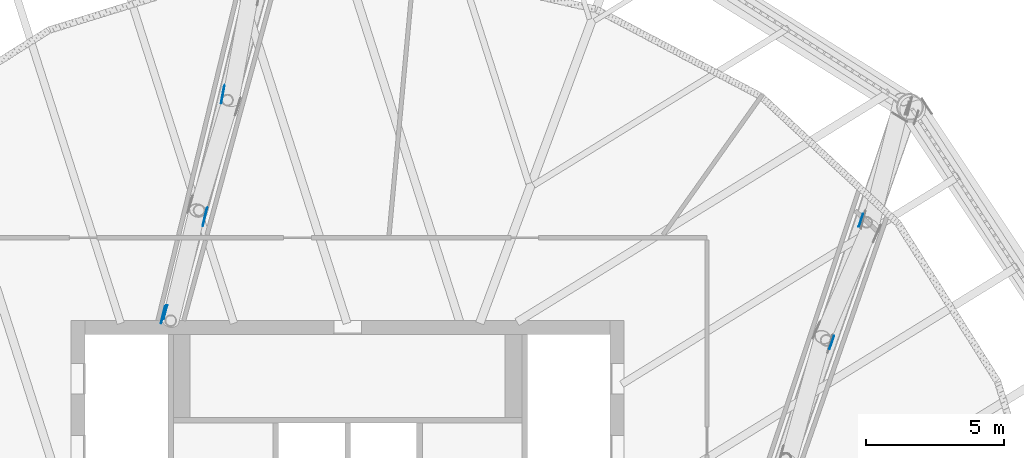
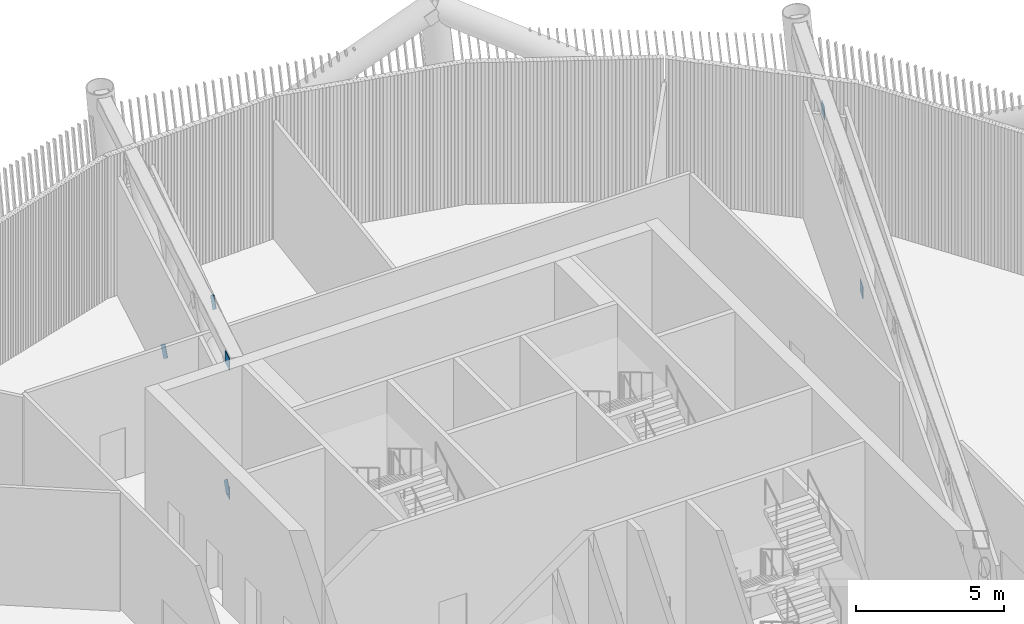
# One storey, part 22 of 40: 7 discrete accessories.
"""IFC4 building model written with IfcOpenShell, lengths in metres."""

from ifc_helpers import new_model, si_unit, direction, frame, origin, origin_2d, place, context, subcontext, project, spatial, rectangle, extrude, material, material_profile, profile_set, type_object, element, save


model = new_model("IFC4")

# Units and contexts
model_context = context("Model", 3, precision=1e-05, world=origin(), true_north=direction((0.0, 1.0)))
body_context = subcontext(model_context, "Body", "Model", "MODEL_VIEW")
ifc_project = project(units=[si_unit("LENGTHUNIT", "METRE"), si_unit("AREAUNIT", "SQUARE_METRE"), si_unit("VOLUMEUNIT", "CUBIC_METRE"), si_unit("PLANEANGLEUNIT", "RADIAN"), si_unit("MASSUNIT", "GRAM", prefix="KILO")], contexts=[model_context])

# Site, building, storey
site_placement = place(None, origin())
site = spatial("IfcSite", under=ifc_project, at=site_placement, CompositionType="ELEMENT")
building_placement = place(site_placement, origin())
building = spatial("IfcBuilding", under=site, at=building_placement, Name="Tarsis Ring Headquarters", CompositionType="ELEMENT")
storey_placement = place(building_placement, frame((0.0, 0.0, 354.800048828125)))
storey = spatial("IfcBuildingStorey", under=building, at=storey_placement, Name="L84", CompositionType="ELEMENT", Elevation=354.800048828125)

# Discrete accessories
ifc_material = material(Name="Structural steel S355", Category="steel")
ifc_material_profile = material_profile(ifc_material, rectangle(XDim=0.02490234375, YDim=0.5, at=origin_2d()), Name="PL 25x500")
ifc_profile_set = profile_set([ifc_material_profile], Name="Structural steel S355")
discrete_accessory_type_1 = type_object("IfcDiscreteAccessoryType", Name="Gusset plate Outrigger 25", PredefinedType="BRACKET", material=ifc_profile_set)
discrete_accessory_1_placement = place(storey_placement, frame((-6.708251953125, 13.074951171875, 0.25390625), z_axis=(0.143539681706, 0.592223244591, 0.792885860854), x_axis=(-0.971861222798, 0.235554162821, 0.0)))
element("IfcDiscreteAccessory", 1, at=discrete_accessory_1_placement, inside=storey, type_object=discrete_accessory_type_1, Name="Gusset plate GP1", PredefinedType="BRACKET", context=body_context, shape_type="SweptSolid", body=[
    extrude(rectangle(XDim=0.02490234375, YDim=0.5, at=origin_2d()), origin(), (0.0, 0.0, 1.0), 0.5),
])
discrete_accessory_2_placement = place(storey_placement, frame((-5.12353515625, 16.90966796875, 5.5859375), z_axis=(-0.14359526263, -0.592452563164, -0.792704460029), x_axis=(0.971861222798, -0.235554162821, 0.0)))
element("IfcDiscreteAccessory", 2, at=discrete_accessory_2_placement, inside=storey, type_object=discrete_accessory_type_1, Name="Gusset plate GP1", PredefinedType="BRACKET", context=body_context, shape_type="SweptSolid", body=[
    extrude(rectangle(XDim=0.02490234375, YDim=0.5, at=origin_2d()), origin(), (0.0, 0.0, 1.0), 0.499755859375),
])
discrete_accessory_3_placement = place(storey_placement, frame((-4.5419921875, 21.04541015625, 0.25390625), z_axis=(0.1098305279, 0.593084850661, 0.797613700395), x_axis=(-0.983282004984, 0.182089260182, 0.0)))
element("IfcDiscreteAccessory", 3, at=discrete_accessory_3_placement, inside=storey, type_object=discrete_accessory_type_1, Name="Gusset plate GP1", PredefinedType="BRACKET", context=body_context, shape_type="SweptSolid", body=[
    extrude(rectangle(XDim=0.02490234375, YDim=0.5, at=origin_2d()), origin(), (0.0, 0.0, 1.0), 0.500244140625),
])
discrete_accessory_type_2 = type_object("IfcDiscreteAccessoryType", Name="Gusset plate Outrigger chord 25", PredefinedType="BRACKET", material=ifc_profile_set)
for number, where, z_axis, x_axis, name in (
    (4, (17.51416015625, 12.21435546875, 0.508056640625), (0.0, 0.0, 1.0), (0.944043783597, -0.32982015501, 0.0), "Gusset plate GP3"),
    (5, (18.568115234375, 16.631103515625, 5.33203125), (0.0, 0.0, -1.0), (-0.9483758492, 0.317148622344, 0.0), "Gusset plate GP3"),
):
    element("IfcDiscreteAccessory", number, at=place(storey_placement, frame(where, z_axis=z_axis, x_axis=x_axis)), inside=storey, type_object=discrete_accessory_type_2, Name=name, PredefinedType="BRACKET", context=body_context, shape_type="SweptSolid", body=[
        extrude(rectangle(XDim=0.02490234375, YDim=0.5, at=origin_2d()), origin(), (0.0, 0.0, 1.0), 0.5),
    ])
discrete_accessory_4_placement = place(storey_placement, frame((-6.6572265625, 13.06982421875, 0.25390625), z_axis=(0.262125986849, 0.965033661081, 0.0), x_axis=(-0.965033661081, 0.262125986849, 0.0)))
element("IfcDiscreteAccessory", 6, at=discrete_accessory_4_placement, inside=storey, type_object=discrete_accessory_type_2, Name="Gusset plate GP3", PredefinedType="BRACKET", context=body_context, shape_type="SweptSolid", body=[
    extrude(rectangle(XDim=0.02490234375, YDim=0.5, at=origin_2d()), origin(), (0.0, 0.0, 1.0), 0.500244140625),
])
discrete_accessory_5_placement = place(storey_placement, frame((-6.658935546875, 13.06298828125, 5.5859375), z_axis=(0.235865572544, 0.971785692264, 0.0), x_axis=(-0.971785692264, 0.235865572544, 0.0)))
element("IfcDiscreteAccessory", 7, at=discrete_accessory_5_placement, inside=storey, type_object=discrete_accessory_type_2, Name="Gusset plate GP3", PredefinedType="BRACKET", context=body_context, shape_type="SweptSolid", body=[
    extrude(rectangle(XDim=0.02490234375, YDim=0.5, at=origin_2d()), origin(), (0.0, 0.0, 1.0), 0.5),
])

save(model, "model.ifc")
